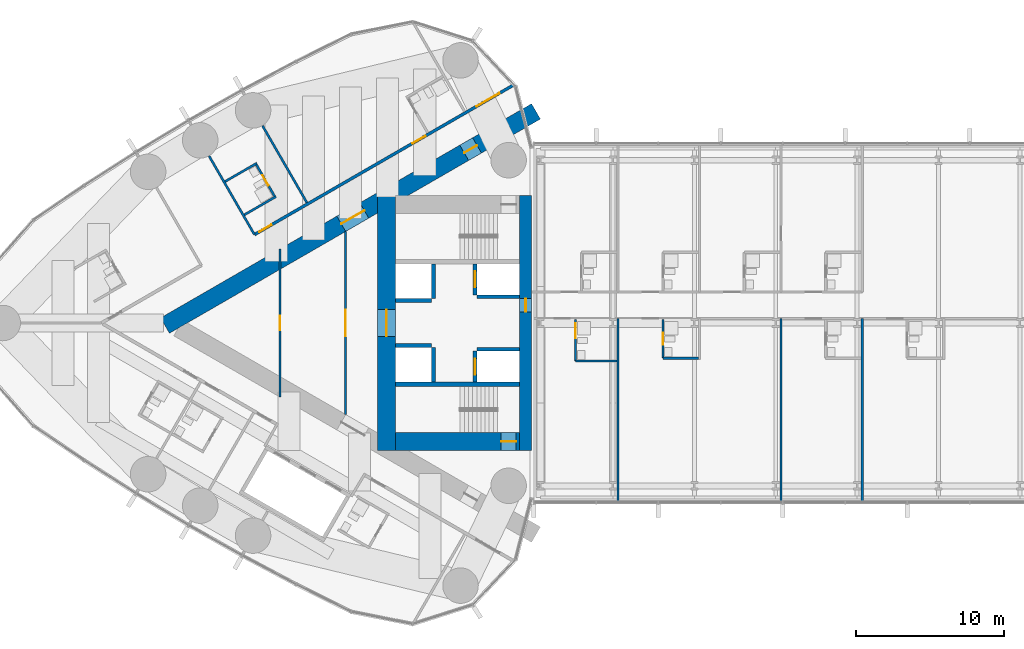
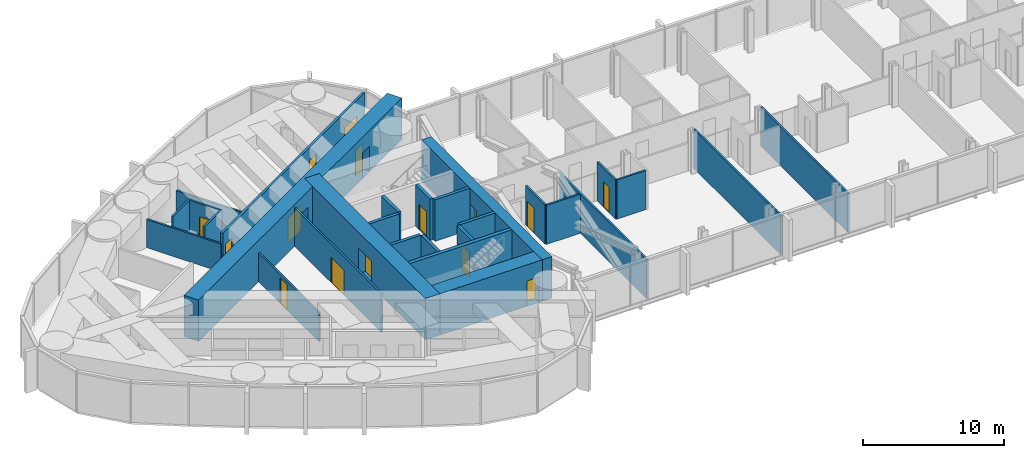
# One storey, part 15 of 22: 28 walls, 15 doors, 15 openings.
"""IFC4 building model written with IfcOpenShell, lengths in metres."""

from ifc_helpers import new_model, si_unit, direction, frame, frame_2d, origin, place, context, subcontext, project, spatial, rectangle, extrude, material, layer, layer_set, type_object, element, fill, save


model = new_model("IFC4")

# Units and contexts
model_context = context("Model", 3, precision=1e-05, world=origin(), true_north=direction((0.0, 1.0)))
body_context = subcontext(model_context, "Body", "Model", "MODEL_VIEW")
ifc_project = project(units=[si_unit("LENGTHUNIT", "METRE"), si_unit("AREAUNIT", "SQUARE_METRE"), si_unit("VOLUMEUNIT", "CUBIC_METRE"), si_unit("PLANEANGLEUNIT", "RADIAN"), si_unit("MASSUNIT", "GRAM", prefix="KILO")], contexts=[model_context])

# Site, building, storey
site_placement = place(None, origin())
site = spatial("IfcSite", under=ifc_project, at=site_placement, CompositionType="ELEMENT")
building_placement = place(site_placement, origin())
building = spatial("IfcBuilding", under=site, at=building_placement, Name="Lancet Gate Hotel", CompositionType="ELEMENT")
storey_placement = place(building_placement, frame((0.0, 0.0, 233.300048828125)))
storey = spatial("IfcBuildingStorey", under=building, at=storey_placement, Name="L62", CompositionType="ELEMENT", Elevation=233.300048828125)

# Wall
ifc_material_1 = material(Name="Moisture resistant board partition")
ifc_layer_1 = layer(ifc_material_1, 0.14990234375)
ifc_layer_set_1 = layer_set([ifc_layer_1], Name="Bathroom wall 150")
wall_type_1 = type_object("IfcWallType", Name="Bathroom wall 150", PredefinedType="PARTITIONING", material=ifc_layer_set_1)
wall_1_placement = place(storey_placement, frame((-46.065185546875, 10.798095703125, 0.0), z_axis=(0.0, 0.0, 1.0), x_axis=(-0.866031185235, -0.4999899861, 0.0)))
element("IfcWall", 1, at=wall_1_placement, inside=storey, type_object=wall_type_1, Name="T1 bathroom wall 150 L62", PredefinedType="PARTITIONING", context=body_context, shape_type="SweptSolid", body=[
    extrude(rectangle(XDim=2.47509765625, YDim=0.14990234375, at=frame_2d((1.237548828125, 0.0))), origin(), (0.0, 0.0, 1.0), 3.349853515625),
])

# Wall, opening, door
wall_2_placement = place(storey_placement, frame((-44.830322265625, 8.509033203125, 0.0), z_axis=(0.0, 0.0, 1.0), x_axis=(-0.499936506574, 0.866062058628, 0.0)))
wall_2 = element("IfcWall", 2, at=wall_2_placement, inside=storey, type_object=wall_type_1, Name="T1 bathroom wall 150 L62", PredefinedType="PARTITIONING", context=body_context, shape_type="SweptSolid", body=[
    extrude(rectangle(XDim=2.599853515625, YDim=0.14990234375, at=frame_2d((1.2998046875, 0.0))), origin(), (0.0, 0.0, 1.0), 3.349853515625),
])
opening_1_placement = place(wall_2_placement, frame((0.89990234375, 0.0, 0.0)))
opening_1 = element("IfcOpeningElement", 3, at=opening_1_placement, cuts=wall_2, Name="Opening 6203-B", PredefinedType="OPENING", context=body_context, shape_type="SweptSolid", body=[
    extrude(rectangle(XDim=0.800048828125, YDim=2.199951171875, at=frame_2d((0.39990234375, 1.10009765625))), frame((0.0, 0.0849609375, 0.0), z_axis=(0.0, -1.0, 0.0), x_axis=(1.0, 0.0, 0.0)), (0.0, 0.0, 1.0), 0.169921875),
])
ifc_material_2 = material(Name="Timber door set", Category="wood")
door_type_1 = type_object("IfcDoorType", Name="Bathroom door 800", OperationType="SINGLE_SWING_RIGHT", PredefinedType="DOOR", material=ifc_material_2)
door_1_placement = place(opening_1_placement, origin())
door_1 = element("IfcDoor", 4, at=door_1_placement, inside=storey, type_object=door_type_1, Name="6203-B", OperationType="SINGLE_SWING_RIGHT", OverallHeight=2.199951171875, OverallWidth=0.800048828125, PredefinedType="DOOR", context=body_context, shape_type="SweptSolid", body=[
    extrude(rectangle(XDim=0.800048828125, YDim=2.199951171875, at=frame_2d((0.39990234375, 1.10009765625))), frame((0.0, 0.02490234375, 0.0), z_axis=(0.0, -1.0, 0.0), x_axis=(1.0, 0.0, 0.0)), (0.0, 0.0, 1.0), 0.050048828125),
])
fill(opening_1, door_1)

# Walls
wall_3_placement = place(storey_placement, frame((-44.765380859375, 8.54638671875, 0.0), z_axis=(0.0, 0.0, 1.0), x_axis=(-0.86604923931, -0.499958713387, 0.0)))
element("IfcWall", 5, at=wall_3_placement, inside=storey, type_object=wall_type_1, Name="T1 bathroom wall 150 L62", PredefinedType="PARTITIONING", context=body_context, shape_type="SweptSolid", body=[
    extrude(rectangle(XDim=2.474853515625, YDim=0.14990234375, at=frame_2d((1.2373046875, 0.0))), origin(), (0.0, 0.0, 1.0), 3.349853515625),
])
wall_4_placement = place(storey_placement, frame((-24.52490234375, -2.574951171875, 0.0), z_axis=(0.0, 0.0, 1.0), x_axis=(1.0, 0.0, 0.0)))
element("IfcWall", 6, at=wall_4_placement, inside=storey, type_object=wall_type_1, Name="Bridge block bathroom wall 150 L62", PredefinedType="PARTITIONING", context=body_context, shape_type="SweptSolid", body=[
    extrude(rectangle(XDim=2.7998046875, YDim=0.14990234375, at=frame_2d((1.39990234375, 0.0))), origin(), (0.0, 0.0, 1.0), 3.39990234375),
])

# Wall, opening, door
wall_5_placement = place(storey_placement, frame((-24.52490234375, -2.574951171875, 0.0), z_axis=(0.0, 0.0, 1.0), x_axis=(0.0, 1.0, 0.0)))
wall_5 = element("IfcWall", 7, at=wall_5_placement, inside=storey, type_object=wall_type_1, Name="Bridge block bathroom wall 150 L62", PredefinedType="PARTITIONING", context=body_context, shape_type="SweptSolid", body=[
    extrude(rectangle(XDim=2.800048828125, YDim=0.14990234375, at=frame_2d((1.39990234375, 0.0))), origin(), (0.0, 0.0, 1.0), 3.39990234375),
])
opening_2_placement = place(wall_5_placement, frame((1.550048828125, 0.0, 0.0)))
opening_2 = element("IfcOpeningElement", 8, at=opening_2_placement, cuts=wall_5, Name="Opening B6201-B", PredefinedType="OPENING", context=body_context, shape_type="SweptSolid", body=[
    extrude(rectangle(XDim=1.0, YDim=2.199951171875, at=frame_2d((0.5, 1.10009765625))), frame((0.0, 0.0849609375, 0.0), z_axis=(0.0, -1.0, 0.0), x_axis=(1.0, 0.0, 0.0)), (0.0, 0.0, 1.0), 0.169921875),
])
ifc_material_3 = material(Name="Timber door set", Category="wood")
door_type_2 = type_object("IfcDoorType", Name="Accessible en-suite door 1000", OperationType="SINGLE_SWING_RIGHT", PredefinedType="DOOR", material=ifc_material_3)
door_2_placement = place(opening_2_placement, origin())
door_2 = element("IfcDoor", 9, at=door_2_placement, inside=storey, type_object=door_type_2, Name="B6201-B", OperationType="SINGLE_SWING_RIGHT", OverallHeight=2.199951171875, OverallWidth=1.0, PredefinedType="DOOR", context=body_context, shape_type="SweptSolid", body=[
    extrude(rectangle(XDim=1.0, YDim=2.199951171875, at=frame_2d((0.5, 1.10009765625))), frame((0.0, 0.02490234375, 0.0), z_axis=(0.0, -1.0, 0.0), x_axis=(1.0, 0.0, 0.0)), (0.0, 0.0, 1.0), 0.050048828125),
])
fill(opening_2, door_2)

# Wall
wall_6_placement = place(storey_placement, frame((-18.625, -2.375, 0.0), z_axis=(0.0, 0.0, 1.0), x_axis=(1.0, 0.0, 0.0)))
element("IfcWall", 10, at=wall_6_placement, inside=storey, type_object=wall_type_1, Name="Bridge block bathroom wall 150 L62", PredefinedType="PARTITIONING", context=body_context, shape_type="SweptSolid", body=[
    extrude(rectangle(XDim=2.39990234375, YDim=0.14990234375, at=frame_2d((1.199951171875, 0.0))), origin(), (0.0, 0.0, 1.0), 3.39990234375),
])

# Wall, opening, door
wall_7_placement = place(storey_placement, frame((-18.625, -2.375, 0.0), z_axis=(0.0, 0.0, 1.0), x_axis=(0.0, 1.0, 0.0)))
wall_7 = element("IfcWall", 11, at=wall_7_placement, inside=storey, type_object=wall_type_1, Name="Bridge block bathroom wall 150 L62", PredefinedType="PARTITIONING", context=body_context, shape_type="SweptSolid", body=[
    extrude(rectangle(XDim=2.60009765625, YDim=0.14990234375, at=frame_2d((1.300048828125, 0.0))), origin(), (0.0, 0.0, 1.0), 3.39990234375),
])
opening_3_placement = place(wall_7_placement, frame((0.89990234375, 0.0, 0.0)))
opening_3 = element("IfcOpeningElement", 12, at=opening_3_placement, cuts=wall_7, Name="Opening B6202-B", PredefinedType="OPENING", context=body_context, shape_type="SweptSolid", body=[
    extrude(rectangle(XDim=0.800048828125, YDim=2.199951171875, at=frame_2d((0.39990234375, 1.10009765625))), frame((0.0, 0.0849609375, 0.0), z_axis=(0.0, -1.0, 0.0), x_axis=(1.0, 0.0, 0.0)), (0.0, 0.0, 1.0), 0.169921875),
])
door_3_placement = place(opening_3_placement, origin())
door_3 = element("IfcDoor", 13, at=door_3_placement, inside=storey, type_object=door_type_1, Name="B6202-B", OperationType="SINGLE_SWING_RIGHT", OverallHeight=2.199951171875, OverallWidth=0.800048828125, PredefinedType="DOOR", context=body_context, shape_type="SweptSolid", body=[
    extrude(rectangle(XDim=0.800048828125, YDim=2.199951171875, at=frame_2d((0.39990234375, 1.10009765625))), frame((0.0, 0.02490234375, 0.0), z_axis=(0.0, -1.0, 0.0), x_axis=(1.0, 0.0, 0.0)), (0.0, 0.0, 1.0), 0.050048828125),
])
fill(opening_3, door_3)

# Wall, openings, doors
ifc_material_4 = material(Name="Concrete C70/85", Category="concrete")
ifc_layer_2 = layer(ifc_material_4, 1.199951171875)
ifc_layer_set_2 = layer_set([ifc_layer_2], Name="Buttress wall 1200")
wall_type_2 = type_object("IfcWallType", Name="Buttress wall 1200", PredefinedType="SHEAR", material=ifc_layer_set_2)
wall_8_placement = place(storey_placement, frame((-27.199951171875, 14.300048828125, 0.0), z_axis=(0.0, 0.0, 1.0), x_axis=(-0.866026593062, -0.499997940104, 0.0)))
wall_8 = element("IfcWall", 14, at=wall_8_placement, inside=storey, type_object=wall_type_2, Name="T1 buttress wall S L62", PredefinedType="SHEAR", context=body_context, shape_type="SweptSolid", body=[
    extrude(rectangle(XDim=28.9462890625, YDim=1.199951171875, at=frame_2d((14.47314453125, 0.0))), origin(), (0.0, 0.0, 1.0), 3.599853515625),
])
opening_4_placement = place(wall_8_placement, frame((4.60009765625, 0.0, 0.0)))
opening_4 = element("IfcOpeningElement", 15, at=opening_4_placement, cuts=wall_8, Name="Opening T1-L62-LS", PredefinedType="OPENING", context=body_context, shape_type="SweptSolid", body=[
    extrude(rectangle(XDim=1.0, YDim=2.199951171875, at=frame_2d((0.5, 1.10009765625))), frame((0.0, 0.60986328125, 0.0), z_axis=(0.0, -1.0, 0.0), x_axis=(1.0, 0.0, 0.0)), (0.0, 0.0, 1.0), 1.219970703125),
])
opening_5_placement = place(wall_8_placement, frame((13.39453125, 0.0, 0.0)))
opening_5 = element("IfcOpeningElement", 16, at=opening_5_placement, cuts=wall_8, Name="Opening T1-L62-LHS", PredefinedType="OPENING", context=body_context, shape_type="SweptSolid", body=[
    extrude(rectangle(XDim=1.800048828125, YDim=2.199951171875, at=frame_2d((0.89990234375, 1.10009765625))), frame((0.0, 0.60986328125, 0.0), z_axis=(0.0, -1.0, 0.0), x_axis=(1.0, 0.0, 0.0)), (0.0, 0.0, 1.0), 1.219970703125),
])
ifc_material_5 = material(Name="Timber door set", Category="wood")
door_type_3 = type_object("IfcDoorType", Name="Lobby double door 1800", OperationType="DOUBLE_DOOR_SINGLE_SWING", PredefinedType="DOOR", material=ifc_material_5)
door_4_placement = place(opening_5_placement, origin())
door_4 = element("IfcDoor", 17, at=door_4_placement, inside=storey, type_object=door_type_3, Name="T1-L62-LHS", OperationType="DOUBLE_DOOR_SINGLE_SWING", OverallHeight=2.199951171875, OverallWidth=1.800048828125, PredefinedType="DOOR", context=body_context, shape_type="SweptSolid", body=[
    extrude(rectangle(XDim=1.800048828125, YDim=2.199951171875, at=frame_2d((0.89990234375, 1.10009765625))), frame((0.0, 0.02490234375, 0.0), z_axis=(0.0, -1.0, 0.0), x_axis=(1.0, 0.0, 0.0)), (0.0, 0.0, 1.0), 0.050048828125),
])
fill(opening_5, door_4)
ifc_material_6 = material(Name="Timber door set", Category="wood")
door_type_4 = type_object("IfcDoorType", Name="Stair lobby door 1000", OperationType="SINGLE_SWING_LEFT", PredefinedType="DOOR", material=ifc_material_6)
door_5_placement = place(opening_4_placement, origin())
door_5 = element("IfcDoor", 18, at=door_5_placement, inside=storey, type_object=door_type_4, Name="T1-L62-LS", OperationType="SINGLE_SWING_LEFT", OverallHeight=2.199951171875, OverallWidth=1.0, PredefinedType="DOOR", context=body_context, shape_type="SweptSolid", body=[
    extrude(rectangle(XDim=1.0, YDim=2.199951171875, at=frame_2d((0.5, 1.10009765625))), frame((0.0, 0.02490234375, 0.0), z_axis=(0.0, -1.0, 0.0), x_axis=(1.0, 0.0, 0.0)), (0.0, 0.0, 1.0), 0.050048828125),
])
fill(opening_4, door_5)

# Wall, opening, door
ifc_material_7 = material(Name="Concrete C70/85", Category="concrete")
ifc_layer_3 = layer(ifc_material_7, 1.199951171875)
ifc_layer_set_3 = layer_set([ifc_layer_3], Name="Core wall 1200")
wall_type_3 = type_object("IfcWallType", Name="Core wall 1200", PredefinedType="SHEAR", material=ifc_layer_set_3)
wall_9_placement = place(storey_placement, frame((-37.300048828125, 8.60009765625, 0.0), z_axis=(0.0, 0.0, 1.0), x_axis=(0.0, -1.0, 0.0)))
wall_9 = element("IfcWall", 19, at=wall_9_placement, inside=storey, type_object=wall_type_3, Name="T1 core wall back L62", PredefinedType="SHEAR", context=body_context, shape_type="SweptSolid", body=[
    extrude(rectangle(XDim=17.2001953125, YDim=1.199951171875, at=frame_2d((8.60009765625, 0.0))), origin(), (0.0, 0.0, 1.0), 3.599853515625),
])
opening_6_placement = place(wall_9_placement, frame((7.699951171875, 0.0, 0.0)))
opening_6 = element("IfcOpeningElement", 20, at=opening_6_placement, cuts=wall_9, Name="Opening T1-L62-LL", PredefinedType="OPENING", context=body_context, shape_type="SweptSolid", body=[
    extrude(rectangle(XDim=1.800048828125, YDim=2.199951171875, at=frame_2d((0.89990234375, 1.10009765625))), frame((0.0, 0.60986328125, 0.0), z_axis=(0.0, -1.0, 0.0), x_axis=(1.0, 0.0, 0.0)), (0.0, 0.0, 1.0), 1.219970703125),
])
door_6_placement = place(opening_6_placement, origin())
door_6 = element("IfcDoor", 21, at=door_6_placement, inside=storey, type_object=door_type_3, Name="T1-L62-LL", OperationType="DOUBLE_DOOR_SINGLE_SWING", OverallHeight=2.199951171875, OverallWidth=1.800048828125, PredefinedType="DOOR", context=body_context, shape_type="SweptSolid", body=[
    extrude(rectangle(XDim=1.800048828125, YDim=2.199951171875, at=frame_2d((0.89990234375, 1.10009765625))), frame((0.0, 0.02490234375, 0.0), z_axis=(0.0, -1.0, 0.0), x_axis=(1.0, 0.0, 0.0)), (0.0, 0.0, 1.0), 0.050048828125),
])
fill(opening_6, door_6)

wall_10_placement = place(storey_placement, frame((-28.300048828125, -8.0, 0.0), z_axis=(0.0, 0.0, 1.0), x_axis=(-1.0, 0.0, 0.0)))
wall_10 = element("IfcWall", 22, at=wall_10_placement, inside=storey, type_object=wall_type_3, Name="T1 core wall side-N L62", PredefinedType="SHEAR", context=body_context, shape_type="SweptSolid", body=[
    extrude(rectangle(XDim=8.39990234375, YDim=1.199951171875, at=frame_2d((4.199951171875, 0.0))), origin(), (0.0, 0.0, 1.0), 3.599853515625),
])
opening_7_placement = place(wall_10_placement, frame((0.25, 0.0, 0.0)))
opening_7 = element("IfcOpeningElement", 23, at=opening_7_placement, cuts=wall_10, Name="Opening T1-L62-ST2", PredefinedType="OPENING", context=body_context, shape_type="SweptSolid", body=[
    extrude(rectangle(XDim=1.0, YDim=2.199951171875, at=frame_2d((0.5, 1.10009765625))), frame((0.0, 0.60986328125, 0.0), z_axis=(0.0, -1.0, 0.0), x_axis=(1.0, 0.0, 0.0)), (0.0, 0.0, 1.0), 1.219970703125),
])
ifc_material_8 = material(Name="Timber door set", Category="wood")
door_type_5 = type_object("IfcDoorType", Name="Stair door 1000", OperationType="SINGLE_SWING_RIGHT", PredefinedType="DOOR", material=ifc_material_8)
door_7_placement = place(opening_7_placement, origin())
door_7 = element("IfcDoor", 24, at=door_7_placement, inside=storey, type_object=door_type_5, Name="T1-L62-ST2", OperationType="SINGLE_SWING_RIGHT", OverallHeight=2.199951171875, OverallWidth=1.0, PredefinedType="DOOR", context=body_context, shape_type="SweptSolid", body=[
    extrude(rectangle(XDim=1.0, YDim=2.199951171875, at=frame_2d((0.5, 1.10009765625))), frame((0.0, 0.02490234375, 0.0), z_axis=(0.0, -1.0, 0.0), x_axis=(1.0, 0.0, 0.0)), (0.0, 0.0, 1.0), 0.050048828125),
])
fill(opening_7, door_7)

ifc_material_9 = material(Name="Concrete C70/85", Category="concrete")
ifc_layer_4 = layer(ifc_material_9, 0.800048828125)
ifc_layer_set_4 = layer_set([ifc_layer_4], Name="Core wall 800")
wall_type_4 = type_object("IfcWallType", Name="Core wall 800", PredefinedType="SHEAR", material=ifc_layer_set_4)
wall_11_placement = place(storey_placement, frame((-27.89990234375, 8.60009765625, 0.0), z_axis=(0.0, 0.0, 1.0), x_axis=(0.0, -1.0, 0.0)))
wall_11 = element("IfcWall", 25, at=wall_11_placement, inside=storey, type_object=wall_type_4, Name="T1 core wall front L62", PredefinedType="SHEAR", context=body_context, shape_type="SweptSolid", body=[
    extrude(rectangle(XDim=17.2001953125, YDim=0.800048828125, at=frame_2d((8.60009765625, 0.0))), origin(), (0.0, 0.0, 1.0), 3.599853515625),
])
opening_8_placement = place(wall_11_placement, frame((6.949951171875, 0.0, 0.0)))
opening_8 = element("IfcOpeningElement", 26, at=opening_8_placement, cuts=wall_11, Name="Opening T1-L62-BR", PredefinedType="OPENING", context=body_context, shape_type="SweptSolid", body=[
    extrude(rectangle(XDim=0.89990234375, YDim=2.199951171875, at=frame_2d((0.449951171875, 1.10009765625))), frame((0.0, 0.409912109375, 0.0), z_axis=(0.0, -1.0, 0.0), x_axis=(1.0, 0.0, 0.0)), (0.0, 0.0, 1.0), 0.820068359375),
])
ifc_material_10 = material(Name="Steel door set", Category="steel")
door_type_6 = type_object("IfcDoorType", Name="Bridge fire door 900", OperationType="SINGLE_SWING_LEFT", PredefinedType="DOOR", material=ifc_material_10)
door_8_placement = place(opening_8_placement, origin())
door_8 = element("IfcDoor", 27, at=door_8_placement, inside=storey, type_object=door_type_6, Name="T1-L62-BR", OperationType="SINGLE_SWING_LEFT", OverallHeight=2.199951171875, OverallWidth=0.89990234375, PredefinedType="DOOR", context=body_context, shape_type="SweptSolid", body=[
    extrude(rectangle(XDim=0.89990234375, YDim=2.199951171875, at=frame_2d((0.449951171875, 1.10009765625))), frame((0.0, 0.02490234375, 0.0), z_axis=(0.0, -1.0, 0.0), x_axis=(1.0, 0.0, 0.0)), (0.0, 0.0, 1.0), 0.050048828125),
])
fill(opening_8, door_8)

# Wall, openings, doors
ifc_material_11 = material(Name="Gypsum board partition")
ifc_layer_5 = layer(ifc_material_11, 0.199951171875)
ifc_layer_set_5 = layer_set([ifc_layer_5], Name="Corridor wall 200")
wall_type_5 = type_object("IfcWallType", Name="Corridor wall 200", PredefinedType="PARTITIONING", material=ifc_layer_set_5)
wall_12_placement = place(storey_placement, frame((-28.737060546875, 16.068359375, 0.0), z_axis=(0.0, 0.0, 1.0), x_axis=(-0.866023901326, -0.500002602325, 0.0)))
wall_12 = element("IfcWall", 28, at=wall_12_placement, inside=storey, type_object=wall_type_5, Name="T1 corridor wall 200 L62", PredefinedType="PARTITIONING", context=body_context, shape_type="SweptSolid", body=[
    extrude(rectangle(XDim=20.19189453125, YDim=0.199951171875, at=frame_2d((10.095947265625, 0.0))), origin(), (0.0, 0.0, 1.0), 3.349853515625),
])
opening_9_placement = place(wall_12_placement, frame((1.080078125, 0.0, 0.0)))
opening_9 = element("IfcOpeningElement", 29, at=opening_9_placement, cuts=wall_12, Name="Opening 6201-E", PredefinedType="OPENING", context=body_context, shape_type="SweptSolid", body=[
    extrude(rectangle(XDim=1.800048828125, YDim=2.030029296875, at=frame_2d((0.89990234375, 1.01513671875))), frame((0.0, 0.10986328125, 0.0), z_axis=(0.0, -1.0, 0.0), x_axis=(1.0, 0.0, 0.0)), (0.0, 0.0, 1.0), 0.219970703125),
])
opening_10_placement = place(wall_12_placement, frame((6.860107421875, 0.0, 0.0)))
opening_10 = element("IfcOpeningElement", 30, at=opening_10_placement, cuts=wall_12, Name="Opening 6202-E", PredefinedType="OPENING", context=body_context, shape_type="SweptSolid", body=[
    extrude(rectangle(XDim=1.0, YDim=2.199951171875, at=frame_2d((0.5, 1.10009765625))), frame((0.0, 0.10986328125, 0.0), z_axis=(0.0, -1.0, 0.0), x_axis=(1.0, 0.0, 0.0)), (0.0, 0.0, 1.0), 0.219970703125),
])
opening_11_placement = place(wall_12_placement, frame((18.866943359375, 0.0, 0.0)))
opening_11 = element("IfcOpeningElement", 31, at=opening_11_placement, cuts=wall_12, Name="Opening 6203-E", PredefinedType="OPENING", context=body_context, shape_type="SweptSolid", body=[
    extrude(rectangle(XDim=0.949951171875, YDim=2.199951171875, at=frame_2d((0.47509765625, 1.10009765625))), frame((0.0, 0.10986328125, 0.0), z_axis=(0.0, -1.0, 0.0), x_axis=(1.0, 0.0, 0.0)), (0.0, 0.0, 1.0), 0.219970703125),
])
ifc_material_12 = material(Name="Timber door set", Category="wood")
door_type_7 = type_object("IfcDoorType", Name="Accessible guest room door 1000", OperationType="SINGLE_SWING_LEFT", PredefinedType="DOOR", material=ifc_material_12)
door_9_placement = place(opening_10_placement, origin())
door_9 = element("IfcDoor", 32, at=door_9_placement, inside=storey, type_object=door_type_7, Name="6202-E", OperationType="SINGLE_SWING_LEFT", OverallHeight=2.199951171875, OverallWidth=1.0, PredefinedType="DOOR", context=body_context, shape_type="SweptSolid", body=[
    extrude(rectangle(XDim=1.0, YDim=2.199951171875, at=frame_2d((0.5, 1.10009765625))), frame((0.0, 0.02490234375, 0.0), z_axis=(0.0, -1.0, 0.0), x_axis=(1.0, 0.0, 0.0)), (0.0, 0.0, 1.0), 0.050048828125),
])
fill(opening_10, door_9)
ifc_material_13 = material(Name="Timber door set", Category="wood")
door_type_8 = type_object("IfcDoorType", Name="Double door 1800, 2030 high", OperationType="DOUBLE_DOOR_SINGLE_SWING", PredefinedType="DOOR", material=ifc_material_13)
door_10_placement = place(opening_9_placement, origin())
door_10 = element("IfcDoor", 33, at=door_10_placement, inside=storey, type_object=door_type_8, Name="6201-E", OperationType="DOUBLE_DOOR_SINGLE_SWING", OverallHeight=2.030029296875, OverallWidth=1.800048828125, PredefinedType="DOOR", context=body_context, shape_type="SweptSolid", body=[
    extrude(rectangle(XDim=1.800048828125, YDim=2.030029296875, at=frame_2d((0.89990234375, 1.01513671875))), frame((0.0, 0.02490234375, 0.0), z_axis=(0.0, -1.0, 0.0), x_axis=(1.0, 0.0, 0.0)), (0.0, 0.0, 1.0), 0.050048828125),
])
fill(opening_9, door_10)
ifc_material_14 = material(Name="Timber door set", Category="wood")
door_type_9 = type_object("IfcDoorType", Name="Guest room entry door 950", OperationType="SINGLE_SWING_LEFT", PredefinedType="DOOR", material=ifc_material_14)
door_11_placement = place(opening_11_placement, origin())
door_11 = element("IfcDoor", 34, at=door_11_placement, inside=storey, type_object=door_type_9, Name="6203-E", OperationType="SINGLE_SWING_LEFT", OverallHeight=2.199951171875, OverallWidth=0.949951171875, PredefinedType="DOOR", context=body_context, shape_type="SweptSolid", body=[
    extrude(rectangle(XDim=0.949951171875, YDim=2.199951171875, at=frame_2d((0.47509765625, 1.10009765625))), frame((0.0, 0.02490234375, 0.0), z_axis=(0.0, -1.0, 0.0), x_axis=(1.0, 0.0, 0.0)), (0.0, 0.0, 1.0), 0.050048828125),
])
fill(opening_11, door_11)

# Wall, opening, door
ifc_material_15 = material(Name="Concrete C50/60", Category="concrete")
ifc_layer_6 = layer(ifc_material_15, 0.25)
ifc_layer_set_6 = layer_set([ifc_layer_6], Name="Lift shaft wall 250")
wall_type_6 = type_object("IfcWallType", Name="Lift shaft wall 250", PredefinedType="SHEAR", material=ifc_layer_set_6)
wall_13_placement = place(storey_placement, frame((-31.324951171875, 4.0, 0.0), z_axis=(0.0, 0.0, 1.0), x_axis=(0.0, -1.0, 0.0)))
wall_13 = element("IfcWall", 35, at=wall_13_placement, inside=storey, type_object=wall_type_6, Name="T1 core wall row1-S L62", PredefinedType="SHEAR", context=body_context, shape_type="SweptSolid", body=[
    extrude(rectangle(XDim=2.10009765625, YDim=0.25, at=frame_2d((1.050048828125, 0.0))), origin(), (0.0, 0.0, 1.0), 3.599853515625),
])
opening_12_placement = place(wall_13_placement, frame((0.5, 0.0, 0.0)))
opening_12 = element("IfcOpeningElement", 36, at=opening_12_placement, cuts=wall_13, Name="Opening T1-SL1-L62", PredefinedType="OPENING", context=body_context, shape_type="SweptSolid", body=[
    extrude(rectangle(XDim=1.10009765625, YDim=2.199951171875, at=frame_2d((0.550048828125, 1.10009765625))), frame((0.0, 0.135009765625, 0.0), z_axis=(0.0, -1.0, 0.0), x_axis=(1.0, 0.0, 0.0)), (0.0, 0.0, 1.0), 0.27001953125),
])
ifc_material_16 = material(Name="Timber door set", Category="wood")
door_type_10 = type_object("IfcDoorType", Name="Service lift landing door 1100", OperationType="SLIDING_TO_LEFT", PredefinedType="USERDEFINED", material=ifc_material_16)
door_12_placement = place(opening_12_placement, origin())
door_12 = element("IfcDoor", 37, at=door_12_placement, inside=storey, type_object=door_type_10, Name="T1-SL1-L62", ObjectType="LIFT LANDING DOOR", OperationType="SLIDING_TO_LEFT", OverallHeight=2.199951171875, OverallWidth=1.10009765625, PredefinedType="USERDEFINED", context=body_context, shape_type="SweptSolid", body=[
    extrude(rectangle(XDim=1.10009765625, YDim=2.199951171875, at=frame_2d((0.550048828125, 1.10009765625))), frame((0.0, 0.02490234375, 0.0), z_axis=(0.0, -1.0, 0.0), x_axis=(1.0, 0.0, 0.0)), (0.0, 0.0, 1.0), 0.050048828125),
])
fill(opening_12, door_12)

# Walls
wall_14_placement = place(storey_placement, frame((-34.125, 4.0, 0.0), z_axis=(0.0, 0.0, 1.0), x_axis=(0.0, -1.0, 0.0)))
element("IfcWall", 38, at=wall_14_placement, inside=storey, type_object=wall_type_6, Name="T1 core wall row2-S L62", PredefinedType="SHEAR", context=body_context, shape_type="SweptSolid", body=[
    extrude(rectangle(XDim=2.35009765625, YDim=0.25, at=frame_2d((1.175048828125, 0.0))), origin(), (0.0, 0.0, 1.0), 3.599853515625),
])
wall_15_placement = place(storey_placement, frame((-28.300048828125, 1.77490234375, 0.0), z_axis=(0.0, 0.0, 1.0), x_axis=(-1.0, 0.0, 0.0)))
element("IfcWall", 39, at=wall_15_placement, inside=storey, type_object=wall_type_6, Name="T1 core wall pass1-S L62", PredefinedType="SHEAR", context=body_context, shape_type="SweptSolid", body=[
    extrude(rectangle(XDim=2.89990234375, YDim=0.25, at=frame_2d((1.449951171875, 0.0))), origin(), (0.0, 0.0, 1.0), 3.599853515625),
])
wall_16_placement = place(storey_placement, frame((-34.25, 1.52490234375, 0.0), z_axis=(0.0, 0.0, 1.0), x_axis=(-1.0, 0.0, 0.0)))
element("IfcWall", 40, at=wall_16_placement, inside=storey, type_object=wall_type_6, Name="T1 core wall pass2-S L62", PredefinedType="SHEAR", context=body_context, shape_type="SweptSolid", body=[
    extrude(rectangle(XDim=2.449951171875, YDim=0.25, at=frame_2d((1.22509765625, 0.0))), origin(), (0.0, 0.0, 1.0), 3.599853515625),
])

# Wall, opening, door
wall_17_placement = place(storey_placement, frame((-31.324951171875, -1.89990234375, 0.0), z_axis=(0.0, 0.0, 1.0), x_axis=(0.0, -1.0, 0.0)))
wall_17 = element("IfcWall", 41, at=wall_17_placement, inside=storey, type_object=wall_type_6, Name="T1 core wall row1-N L62", PredefinedType="SHEAR", context=body_context, shape_type="SweptSolid", body=[
    extrude(rectangle(XDim=2.10009765625, YDim=0.25, at=frame_2d((1.050048828125, 0.0))), origin(), (0.0, 0.0, 1.0), 3.599853515625),
])
opening_13_placement = place(wall_17_placement, frame((0.5, 0.0, 0.0)))
opening_13 = element("IfcOpeningElement", 42, at=opening_13_placement, cuts=wall_17, Name="Opening T1-FL2-L62", PredefinedType="OPENING", context=body_context, shape_type="SweptSolid", body=[
    extrude(rectangle(XDim=1.10009765625, YDim=2.199951171875, at=frame_2d((0.550048828125, 1.10009765625))), frame((0.0, 0.135009765625, 0.0), z_axis=(0.0, -1.0, 0.0), x_axis=(1.0, 0.0, 0.0)), (0.0, 0.0, 1.0), 0.27001953125),
])
ifc_material_17 = material(Name="Steel door set", Category="steel")
door_type_11 = type_object("IfcDoorType", Name="Firefighting lift landing door 1100", OperationType="SLIDING_TO_LEFT", PredefinedType="USERDEFINED", material=ifc_material_17)
door_13_placement = place(opening_13_placement, origin())
door_13 = element("IfcDoor", 43, at=door_13_placement, inside=storey, type_object=door_type_11, Name="T1-FL2-L62", ObjectType="LIFT LANDING DOOR", OperationType="SLIDING_TO_LEFT", OverallHeight=2.199951171875, OverallWidth=1.10009765625, PredefinedType="USERDEFINED", context=body_context, shape_type="SweptSolid", body=[
    extrude(rectangle(XDim=1.10009765625, YDim=2.199951171875, at=frame_2d((0.550048828125, 1.10009765625))), frame((0.0, 0.02490234375, 0.0), z_axis=(0.0, -1.0, 0.0), x_axis=(1.0, 0.0, 0.0)), (0.0, 0.0, 1.0), 0.050048828125),
])
fill(opening_13, door_13)

# Walls
wall_18_placement = place(storey_placement, frame((-34.125, -1.64990234375, 0.0), z_axis=(0.0, 0.0, 1.0), x_axis=(0.0, -1.0, 0.0)))
element("IfcWall", 44, at=wall_18_placement, inside=storey, type_object=wall_type_6, Name="T1 core wall row2-N L62", PredefinedType="SHEAR", context=body_context, shape_type="SweptSolid", body=[
    extrude(rectangle(XDim=2.35009765625, YDim=0.25, at=frame_2d((1.175048828125, 0.0))), origin(), (0.0, 0.0, 1.0), 3.599853515625),
])
wall_19_placement = place(storey_placement, frame((-28.300048828125, -1.77490234375, 0.0), z_axis=(0.0, 0.0, 1.0), x_axis=(-1.0, 0.0, 0.0)))
element("IfcWall", 45, at=wall_19_placement, inside=storey, type_object=wall_type_6, Name="T1 core wall pass1-N L62", PredefinedType="SHEAR", context=body_context, shape_type="SweptSolid", body=[
    extrude(rectangle(XDim=2.89990234375, YDim=0.25, at=frame_2d((1.449951171875, 0.0))), origin(), (0.0, 0.0, 1.0), 3.599853515625),
])
wall_20_placement = place(storey_placement, frame((-34.25, -1.52490234375, 0.0), z_axis=(0.0, 0.0, 1.0), x_axis=(-1.0, 0.0, 0.0)))
element("IfcWall", 46, at=wall_20_placement, inside=storey, type_object=wall_type_6, Name="T1 core wall pass2-N L62", PredefinedType="SHEAR", context=body_context, shape_type="SweptSolid", body=[
    extrude(rectangle(XDim=2.449951171875, YDim=0.25, at=frame_2d((1.22509765625, 0.0))), origin(), (0.0, 0.0, 1.0), 3.599853515625),
])
ifc_material_18 = material(Name="Gypsum board partition")
ifc_layer_7 = layer(ifc_material_18, 0.14990234375)
ifc_layer_set_7 = layer_set([ifc_layer_7], Name="Party wall 150")
wall_type_7 = type_object("IfcWallType", Name="Party wall 150", PredefinedType="PARTITIONING", material=ifc_layer_set_7)
wall_21_placement = place(storey_placement, frame((-42.680419921875, 8.133544921875, 0.0), z_axis=(0.0, 0.0, 1.0), x_axis=(-0.499984479505, 0.866034364361, 0.0)))
element("IfcWall", 47, at=wall_21_placement, inside=storey, type_object=wall_type_7, Name="T1 party wall 150 L62", PredefinedType="PARTITIONING", context=body_context, shape_type="SweptSolid", body=[
    extrude(rectangle(XDim=5.995361328125, YDim=0.14990234375, at=frame_2d((2.99755859375, 0.0))), origin(), (0.0, 0.0, 1.0), 2.449951171875),
])
wall_22_placement = place(storey_placement, frame((-46.2236328125, 5.972412109375, 0.0), z_axis=(0.0, 0.0, 1.0), x_axis=(-0.500021351822, 0.866013075953, 0.0)))
element("IfcWall", 48, at=wall_22_placement, inside=storey, type_object=wall_type_7, Name="T1 party wall 150 L62", PredefinedType="PARTITIONING", context=body_context, shape_type="SweptSolid", body=[
    extrude(rectangle(XDim=6.127685546875, YDim=0.14990234375, at=frame_2d((3.06396484375, 0.0))), origin(), (0.0, 0.0, 1.0), 2.449951171875),
])
for number, where, z_axis, x_axis, name in (
    (49, (-21.64990234375, -12.070068359375, 0.0), (0.0, 0.0, 1.0), (0.0, 1.0, 0.0), "Bridge block party wall 150 L62"),
    (50, (-10.64990234375, -12.070068359375, 0.0), (0.0, 0.0, 1.0), (0.0, 1.0, 0.0), "Bridge block party wall 150 L62"),
    (51, (-5.14990234375, -12.070068359375, 0.0), (0.0, 0.0, 1.0), (0.0, 1.0, 0.0), "Bridge block party wall 150 L62"),
):
    element("IfcWall", number, at=place(storey_placement, frame(where, z_axis=z_axis, x_axis=x_axis)), inside=storey, type_object=wall_type_7, Name=name, PredefinedType="PARTITIONING", context=body_context, shape_type="SweptSolid", body=[
        extrude(rectangle(XDim=12.3701171875, YDim=0.14990234375, at=frame_2d((6.18505859375, 0.0))), origin(), (0.0, 0.0, 1.0), 3.39990234375),
    ])

# Wall, opening, door
ifc_material_19 = material(Name="Gypsum board partition")
ifc_layer_8 = layer(ifc_material_19, 0.14990234375)
ifc_layer_set_8 = layer_set([ifc_layer_8], Name="Service room wall 150")
wall_type_8 = type_object("IfcWallType", Name="Service room wall 150", PredefinedType="PARTITIONING", material=ifc_layer_set_8)
wall_23_placement = place(storey_placement, frame((-40.074951171875, 6.173828125, 0.0), z_axis=(0.0, 0.0, 1.0), x_axis=(0.0, -1.0, 0.0)))
wall_23 = element("IfcWall", 52, at=wall_23_placement, inside=storey, type_object=wall_type_8, Name="T1 service room wall 150 L62", PredefinedType="PARTITIONING", context=body_context, shape_type="SweptSolid", body=[
    extrude(rectangle(XDim=12.34765625, YDim=0.14990234375, at=frame_2d((6.173828125, 0.0))), origin(), (0.0, 0.0, 1.0), 3.349853515625),
])
opening_14_placement = place(wall_23_placement, frame((5.273681640625, 0.0, 0.0)))
opening_14 = element("IfcOpeningElement", 53, at=opening_14_placement, cuts=wall_23, Name="Opening T1-L62-LH", PredefinedType="OPENING", context=body_context, shape_type="SweptSolid", body=[
    extrude(rectangle(XDim=1.800048828125, YDim=2.199951171875, at=frame_2d((0.89990234375, 1.10009765625))), frame((0.0, 0.0849609375, 0.0), z_axis=(0.0, -1.0, 0.0), x_axis=(1.0, 0.0, 0.0)), (0.0, 0.0, 1.0), 0.169921875),
])
door_14_placement = place(opening_14_placement, origin())
door_14 = element("IfcDoor", 54, at=door_14_placement, inside=storey, type_object=door_type_3, Name="T1-L62-LH", OperationType="DOUBLE_DOOR_SINGLE_SWING", OverallHeight=2.199951171875, OverallWidth=1.800048828125, PredefinedType="DOOR", context=body_context, shape_type="SweptSolid", body=[
    extrude(rectangle(XDim=1.800048828125, YDim=2.199951171875, at=frame_2d((0.89990234375, 1.10009765625))), frame((0.0, 0.02490234375, 0.0), z_axis=(0.0, -1.0, 0.0), x_axis=(1.0, 0.0, 0.0)), (0.0, 0.0, 1.0), 0.050048828125),
])
fill(opening_14, door_14)

wall_24_placement = place(storey_placement, frame((-44.5, 5.004638671875, 0.0), z_axis=(0.0, 0.0, 1.0), x_axis=(0.0, -1.0, 0.0)))
wall_24 = element("IfcWall", 55, at=wall_24_placement, inside=storey, type_object=wall_type_8, Name="T1 service room wall 150 L62", PredefinedType="PARTITIONING", context=body_context, shape_type="SweptSolid", body=[
    extrude(rectangle(XDim=10.00927734375, YDim=0.14990234375, at=frame_2d((5.004638671875, 0.0))), origin(), (0.0, 0.0, 1.0), 2.5),
])
opening_15_placement = place(wall_24_placement, frame((4.504638671875, 0.0, 0.0)))
opening_15 = element("IfcOpeningElement", 56, at=opening_15_placement, cuts=wall_24, Name="Opening T1-L62-SV", PredefinedType="OPENING", context=body_context, shape_type="SweptSolid", body=[
    extrude(rectangle(XDim=1.0, YDim=2.199951171875, at=frame_2d((0.5, 1.10009765625))), frame((0.0, 0.0849609375, 0.0), z_axis=(0.0, -1.0, 0.0), x_axis=(1.0, 0.0, 0.0)), (0.0, 0.0, 1.0), 0.169921875),
])
ifc_material_20 = material(Name="Timber door set", Category="wood")
door_type_12 = type_object("IfcDoorType", Name="Service door 1000", OperationType="SINGLE_SWING_LEFT", PredefinedType="DOOR", material=ifc_material_20)
door_15_placement = place(opening_15_placement, origin())
door_15 = element("IfcDoor", 57, at=door_15_placement, inside=storey, type_object=door_type_12, Name="T1-L62-SV", OperationType="SINGLE_SWING_LEFT", OverallHeight=2.199951171875, OverallWidth=1.0, PredefinedType="DOOR", context=body_context, shape_type="SweptSolid", body=[
    extrude(rectangle(XDim=1.0, YDim=2.199951171875, at=frame_2d((0.5, 1.10009765625))), frame((0.0, 0.02490234375, 0.0), z_axis=(0.0, -1.0, 0.0), x_axis=(1.0, 0.0, 0.0)), (0.0, 0.0, 1.0), 0.050048828125),
])
fill(opening_15, door_15)

# Wall
ifc_material_21 = material(Name="Concrete C50/60", Category="concrete")
ifc_layer_9 = layer(ifc_material_21, 0.300048828125)
ifc_layer_set_9 = layer_set([ifc_layer_9], Name="Stair enclosure wall 300")
wall_type_9 = type_object("IfcWallType", Name="Stair enclosure wall 300", PredefinedType="SHEAR", material=ifc_layer_set_9)
wall_25_placement = place(storey_placement, frame((-28.300048828125, -4.14990234375, 0.0), z_axis=(0.0, 0.0, 1.0), x_axis=(-1.0, 0.0, 0.0)))
element("IfcWall", 58, at=wall_25_placement, inside=storey, type_object=wall_type_9, Name="T1 core wall stair-N L62", PredefinedType="SHEAR", context=body_context, shape_type="SweptSolid", body=[
    extrude(rectangle(XDim=8.39990234375, YDim=0.300048828125, at=frame_2d((4.199951171875, 0.0))), origin(), (0.0, 0.0, 1.0), 3.599853515625),
])

save(model, "model.ifc")
